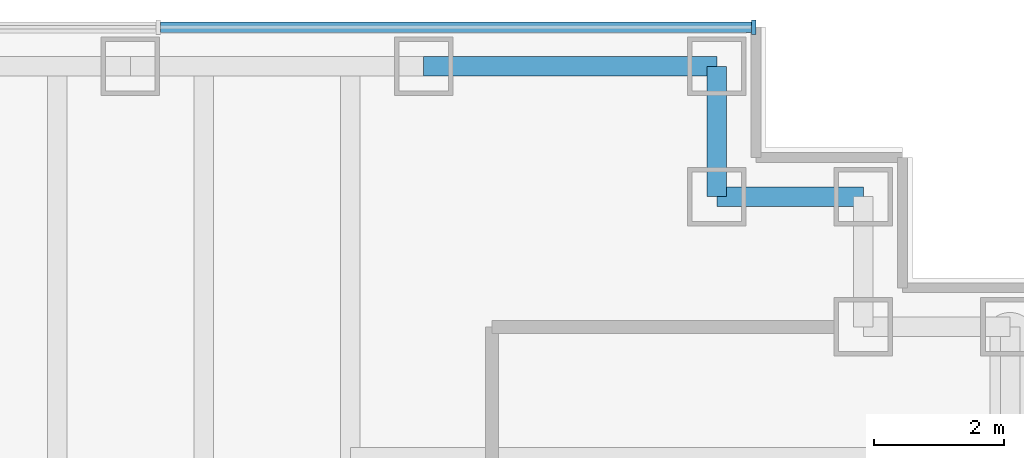
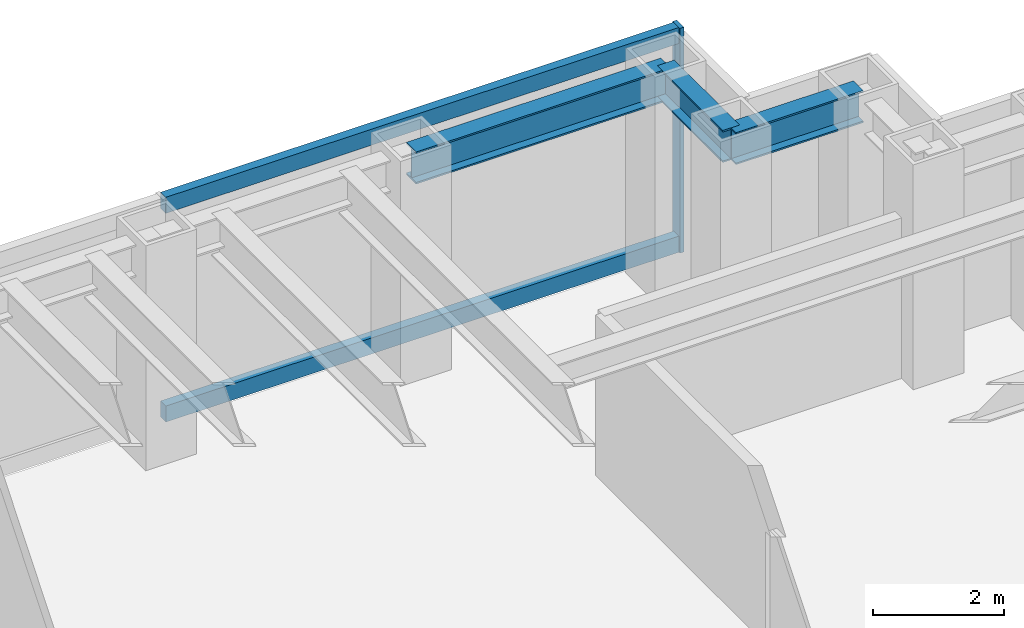
# One storey, part 8 of 15: 3 beams, 3 members, 1 element without a shape of its own.
"""IFC4 building model written with IfcOpenShell, lengths in metres."""

from ifc_helpers import new_model, si_unit, direction, frame, origin, origin_2d, place, context, subcontext, project, spatial, rectangle, i_section, extrude, material, material_profile, profile_set, type_object, element, aggregate, save


model = new_model("IFC4")

# Units and contexts
model_context = context("Model", 3, precision=1e-05, world=origin(), true_north=direction((0.0, 1.0)))
body_context = subcontext(model_context, "Body", "Model", "MODEL_VIEW")
ifc_project = project(units=[si_unit("LENGTHUNIT", "METRE"), si_unit("AREAUNIT", "SQUARE_METRE"), si_unit("VOLUMEUNIT", "CUBIC_METRE"), si_unit("PLANEANGLEUNIT", "RADIAN"), si_unit("MASSUNIT", "GRAM", prefix="KILO")], contexts=[model_context])

# Site, building, storey
site_placement = place(None, origin())
site = spatial("IfcSite", under=ifc_project, at=site_placement, CompositionType="ELEMENT")
building_placement = place(site_placement, origin())
building = spatial("IfcBuilding", under=site, at=building_placement, Name="Rheinbord Bourse Tower", CompositionType="ELEMENT")
storey_placement = place(building_placement, frame((0.0, 0.0, 257.199951171875)))
storey = spatial("IfcBuildingStorey", under=building, at=storey_placement, Name="L58", CompositionType="ELEMENT", Elevation=257.199951171875)

# Curtain wall, members
ifc_material_1 = material(Name="Dark glass and black aluminium", Category="aluminium")
curtain_wall_type = type_object("IfcCurtainWallType", Name="CW2 DARK GLASS CURTAIN WALL", PredefinedType="USERDEFINED", material=ifc_material_1)
curtain_wall_placement = place(storey_placement, origin())
curtain_wall = element("IfcCurtainWall", 1, at=curtain_wall_placement, inside=storey, type_object=curtain_wall_type, Name="Curtain wall CW2 N L58", ObjectType="UNITISED CURTAIN WALL", PredefinedType="USERDEFINED")
ifc_material_2 = material(Name="Black anodised aluminium", Category="aluminium")
ifc_material_profile_1 = material_profile(ifc_material_2, rectangle(XDim=0.219970703125, YDim=0.070068359375, at=origin_2d()), Name="CW2 MULLION 70x220")
ifc_profile_set_1 = profile_set([ifc_material_profile_1], Name="Black anodised aluminium")
member_type_1 = type_object("IfcMemberType", Name="CW2 BLACK MULLION", PredefinedType="MULLION", material=ifc_profile_set_1)
member_1_placement = place(storey_placement, frame((68.06494140625, 44.60009765625, 0.0), z_axis=(0.0, 0.0, 1.0), x_axis=(0.0, -1.0, 0.0)))
member_1 = element("IfcMember", 2, at=member_1_placement, type_object=member_type_1, Name="CW2 mullion 1", PredefinedType="MULLION", context=body_context, shape_type="SweptSolid", body=[
    extrude(rectangle(XDim=0.219970703125, YDim=0.070068359375, at=origin_2d()), origin(), (0.0, 0.0, 1.0), 4.199951171875),
])
ifc_material_3 = material(Name="Black anodised aluminium", Category="aluminium")
ifc_material_profile_2 = material_profile(ifc_material_3, rectangle(XDim=0.159912109375, YDim=0.300048828125, at=origin_2d()), Name="CW2 TRANSOM 300x160")
ifc_profile_set_2 = profile_set([ifc_material_profile_2], Name="Black anodised aluminium")
member_type_2 = type_object("IfcMemberType", Name="CW2 BLACK TRANSOM", PredefinedType="USERDEFINED", material=ifc_profile_set_2)
member_2_placement = place(storey_placement, frame((68.030029296875, 44.60009765625, 0.150146484375), z_axis=(-1.0, 0.0, 0.0), x_axis=(0.0, -1.0, 0.0)))
member_2 = element("IfcMember", 3, at=member_2_placement, type_object=member_type_2, Name="CW2 transom 1.1", ObjectType="TRANSOM", PredefinedType="USERDEFINED", context=body_context, shape_type="SweptSolid", body=[
    extrude(rectangle(XDim=0.159912109375, YDim=0.300048828125, at=origin_2d()), origin(), (0.0, 0.0, 1.0), 9.06640625),
])
member_3_placement = place(storey_placement, frame((68.030029296875, 44.60009765625, 4.050048828125), z_axis=(-1.0, 0.0, 0.0), x_axis=(0.0, -1.0, 0.0)))
member_3 = element("IfcMember", 4, at=member_3_placement, type_object=member_type_2, Name="CW2 transom 1.2", ObjectType="TRANSOM", PredefinedType="USERDEFINED", context=body_context, shape_type="SweptSolid", body=[
    extrude(rectangle(XDim=0.159912109375, YDim=0.300048828125, at=origin_2d()), origin(), (0.0, 0.0, 1.0), 9.06640625),
])
aggregate(curtain_wall, [member_1, member_2, member_3])

# Beams
ifc_material_4 = material(Name="Steel S460", Category="steel")
ifc_material_profile_3 = material_profile(ifc_material_4, i_section(OverallWidth=0.300048828125, OverallDepth=0.60009765625, WebThickness=0.015380859375, FlangeThickness=0.030029296875, at=origin_2d()), Name="HEB 600")
ifc_profile_set_3 = profile_set([ifc_material_profile_3], Name="Steel S460")
beam_type = type_object("IfcBeamType", Name="SPANDREL HEB 600", PredefinedType="SPANDREL", material=ifc_profile_set_3)
beam_1_placement = place(storey_placement, frame((69.75, 42.0, 3.739990234375), z_axis=(-1.0, 0.0, 0.0), x_axis=(0.0, -1.0, 0.0)))
element("IfcBeam", 5, at=beam_1_placement, inside=storey, type_object=beam_type, Name="Spandrel NE-C-NE-D under L59", PredefinedType="SPANDREL", context=body_context, shape_type="SweptSolid", body=[
    extrude(i_section(OverallWidth=0.300048828125, OverallDepth=0.60009765625, WebThickness=0.015380859375, FlangeThickness=0.030029296875, at=origin_2d()), origin(), (0.0, 0.0, 1.0), 2.25),
])
beam_2_placement = place(storey_placement, frame((67.5, 42.0, 3.739990234375), z_axis=(0.0, 1.0, 0.0), x_axis=(-1.0, 0.0, 0.0)))
element("IfcBeam", 6, at=beam_2_placement, inside=storey, type_object=beam_type, Name="Spandrel NE-D-NE-E under L59", PredefinedType="SPANDREL", context=body_context, shape_type="SweptSolid", body=[
    extrude(i_section(OverallWidth=0.300048828125, OverallDepth=0.60009765625, WebThickness=0.015380859375, FlangeThickness=0.030029296875, at=origin_2d()), origin(), (0.0, 0.0, 1.0), 2.0),
])
beam_3_placement = place(storey_placement, frame((67.5, 44.0, 3.739990234375), z_axis=(-1.0, 0.0, 0.0), x_axis=(0.0, -1.0, 0.0)))
element("IfcBeam", 7, at=beam_3_placement, inside=storey, type_object=beam_type, Name="Spandrel NE-E-N-63 under L59", PredefinedType="SPANDREL", context=body_context, shape_type="SweptSolid", body=[
    extrude(i_section(OverallWidth=0.300048828125, OverallDepth=0.60009765625, WebThickness=0.015380859375, FlangeThickness=0.030029296875, at=origin_2d()), origin(), (0.0, 0.0, 1.0), 4.5),
])

save(model, "model.ifc")
